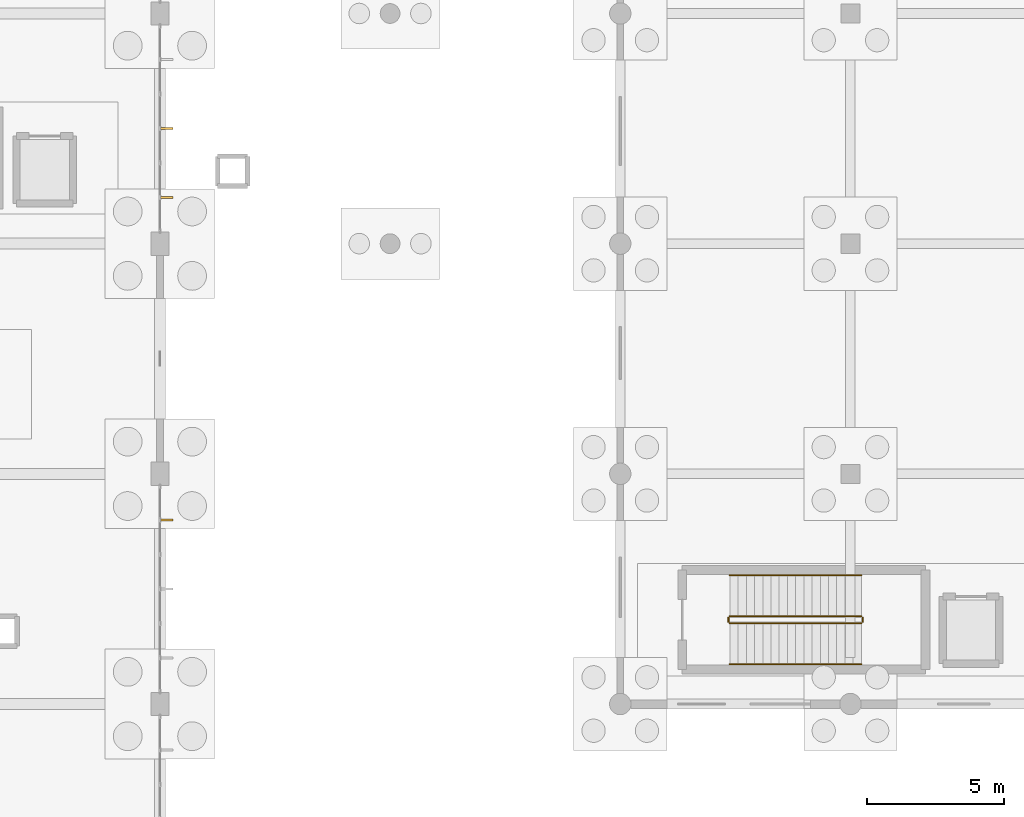
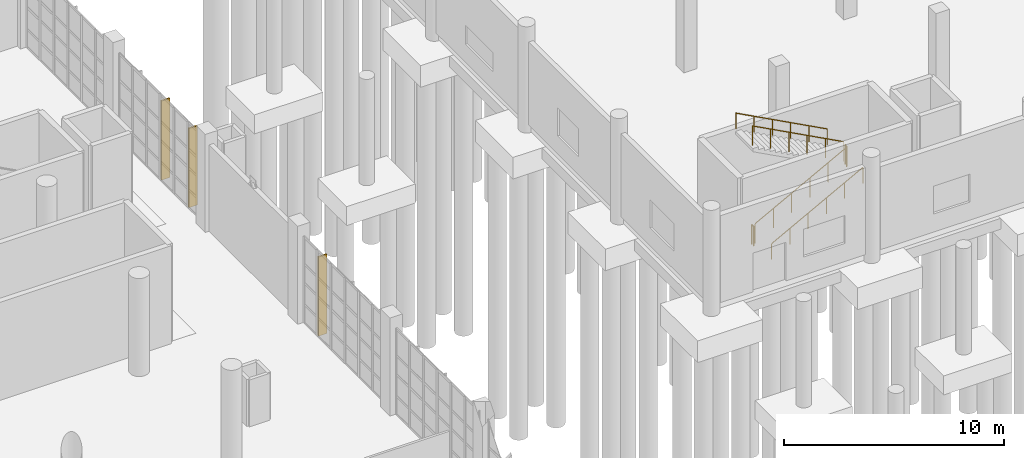
# One storey, part 74 of 83: 6 railings, 3 shading devices.
"""IFC4 building model written with IfcOpenShell, lengths in metres."""

from ifc_helpers import new_model, si_unit, direction, frame, origin, origin_2d, place, context, subcontext, project, spatial, rectangle, circle, extrude, material, type_object, element, save


model = new_model("IFC4")

# Units and contexts
model_context = context("Model", 3, precision=1e-05, world=origin(), true_north=direction((0.0, 1.0)))
body_context = subcontext(model_context, "Body", "Model", "MODEL_VIEW")
ifc_project = project(units=[si_unit("LENGTHUNIT", "METRE"), si_unit("AREAUNIT", "SQUARE_METRE"), si_unit("VOLUMEUNIT", "CUBIC_METRE"), si_unit("PLANEANGLEUNIT", "RADIAN"), si_unit("MASSUNIT", "GRAM", prefix="KILO"), si_unit("THERMODYNAMICTEMPERATUREUNIT", "KELVIN"), si_unit("POWERUNIT", "WATT")], contexts=[model_context])

# Site, building, storey
site_placement = place(None, origin())
site = spatial("IfcSite", under=ifc_project, at=site_placement, CompositionType="ELEMENT")
building_placement = place(site_placement, origin())
building = spatial("IfcBuilding", under=site, at=building_placement, Name="Mavoryth Pier Ferry Terminal", CompositionType="ELEMENT")
storey_placement = place(building_placement, origin())
storey = spatial("IfcBuildingStorey", under=building, at=storey_placement, Name="L00", CompositionType="ELEMENT", Elevation=0.0)

# Shading devices
ifc_material_1 = material(Name="Anodised Aluminium Solar-Shading Fin", Category="aluminium")
shading_device_type = type_object("IfcShadingDeviceType", Name="Fin-BriseSoleil-450x80x4400", PredefinedType="SHUTTER", material=ifc_material_1)
for number, where, z_axis, x_axis, name in (
    (1, (33.84912109375, 79.11669921875, 0.0), (0.0, 0.0, 1.0), (0.0, 1.0, 0.0), "Solar Shading Fin 54"),
    (2, (33.84912109375, 90.88330078125, 0.0), (0.0, 0.0, 1.0), (0.0, 1.0, 0.0), "Solar Shading Fin 64"),
    (3, (33.84912109375, 93.39990234375, 0.0), (0.0, 0.0, 1.0), (0.0, 1.0, 0.0), "Solar Shading Fin 65"),
):
    element("IfcShadingDevice", number, at=place(storey_placement, frame(where, z_axis=z_axis, x_axis=x_axis)), inside=storey, type_object=shading_device_type, Name=name, PredefinedType="SHUTTER", context=body_context, shape_type="SweptSolid", body=[
        extrude(rectangle(XDim=0.080078125, YDim=0.449951171875, at=origin_2d()), origin(), (0.0, 0.0, 1.0), 4.39990234375),
    ])

# Railings
ifc_material_2 = material(Name="Painted Galvanised Steel Balustrade", Category="steel")
railing_type_1 = type_object("IfcRailingType", Name="Guard-Stair-Steel1100", PredefinedType="GUARDRAIL", material=ifc_material_2)
railing_1_placement = place(storey_placement, frame((54.39990234375, 75.35009765625, 0.159912109375)))
element("IfcRailing", 4, at=railing_1_placement, inside=storey, type_object=railing_type_1, Name="L00 ST04 stair guard 1", PredefinedType="GUARDRAIL", context=body_context, shape_type="SweptSolid", body=[
    extrude(circle(Radius=0.02392578125, at=origin_2d()), frame((0.0, 0.0, 1.076171875), z_axis=(0.882350456557, 0.0, 0.470592893925), x_axis=(0.0, 1.0, 0.0)), (0.0, 0.0, 1.0), 5.440185546875),
    extrude(circle(Radius=0.02099609375, at=origin_2d()), origin(), (0.0, 0.0, 1.0), 1.052001953125),
    extrude(circle(Radius=0.02099609375, at=origin_2d()), frame((0.9599609375, 0.0, 0.511962890625)), (0.0, 0.0, 1.0), 1.052001953125),
    extrude(circle(Radius=0.02099609375, at=origin_2d()), frame((1.919921875, 0.0, 1.02392578125)), (0.0, 0.0, 1.0), 1.052001953125),
    extrude(circle(Radius=0.02099609375, at=origin_2d()), frame((2.880126953125, 0.0, 1.5361328125)), (0.0, 0.0, 1.0), 1.052001953125),
    extrude(circle(Radius=0.02099609375, at=origin_2d()), frame((3.840087890625, 0.0, 2.048095703125)), (0.0, 0.0, 1.0), 1.052001953125),
    extrude(circle(Radius=0.02099609375, at=origin_2d()), frame((4.800048828125, 0.0, 2.56005859375)), (0.0, 0.0, 1.0), 1.052001953125),
])
railing_2_placement = place(storey_placement, frame((59.25, 75.39990234375, 2.719970703125)))
element("IfcRailing", 5, at=railing_2_placement, inside=storey, type_object=railing_type_1, Name="L00 ST04 stair guard 2", PredefinedType="GUARDRAIL", context=body_context, shape_type="SweptSolid", body=[
    extrude(circle(Radius=0.02392578125, at=origin_2d()), frame((0.0, 0.0, 1.076171875), z_axis=(0.0, 1.0, 0.0), x_axis=(-1.0, 0.0, 0.0)), (0.0, 0.0, 1.0), 0.150146484375),
    extrude(circle(Radius=0.02099609375, at=origin_2d()), origin(), (0.0, 0.0, 1.0), 1.052001953125),
    extrude(circle(Radius=0.02099609375, at=origin_2d()), frame((0.0, 0.150146484375, 0.0)), (0.0, 0.0, 1.0), 1.052001953125),
])
railing_3_placement = place(storey_placement, frame((59.199951171875, 75.60009765625, 2.8798828125)))
element("IfcRailing", 6, at=railing_3_placement, inside=storey, type_object=railing_type_1, Name="L00 ST04 stair guard 3", PredefinedType="GUARDRAIL", context=body_context, shape_type="SweptSolid", body=[
    extrude(circle(Radius=0.02392578125, at=origin_2d()), frame((0.0, 0.0, 1.076171875), z_axis=(-0.882350456557, 0.0, 0.470592893925), x_axis=(0.0, -1.0, 0.0)), (0.0, 0.0, 1.0), 5.440185546875),
    extrude(circle(Radius=0.02099609375, at=origin_2d()), origin(), (0.0, 0.0, 1.0), 1.052001953125),
    extrude(circle(Radius=0.02099609375, at=origin_2d()), frame((-0.9599609375, 0.0, 0.511962890625)), (0.0, 0.0, 1.0), 1.052001953125),
    extrude(circle(Radius=0.02099609375, at=origin_2d()), frame((-1.919921875, 0.0, 1.02392578125)), (0.0, 0.0, 1.0), 1.052001953125),
    extrude(circle(Radius=0.02099609375, at=origin_2d()), frame((-2.880126953125, 0.0, 1.5361328125)), (0.0, 0.0, 1.0), 1.052001953125),
    extrude(circle(Radius=0.02099609375, at=origin_2d()), frame((-3.840087890625, 0.0, 2.048095703125)), (0.0, 0.0, 1.0), 1.052001953125),
    extrude(circle(Radius=0.02099609375, at=origin_2d()), frame((-4.800048828125, 0.0, 2.56005859375)), (0.0, 0.0, 1.0), 1.052001953125),
])
railing_4_placement = place(storey_placement, frame((54.35009765625, 75.39990234375, 0.0)))
element("IfcRailing", 7, at=railing_4_placement, inside=storey, type_object=railing_type_1, Name="L00 ST04 stair guard 4", PredefinedType="GUARDRAIL", context=body_context, shape_type="SweptSolid", body=[
    extrude(circle(Radius=0.02392578125, at=origin_2d()), frame((0.0, 0.0, 1.076171875), z_axis=(0.0, 1.0, 0.0), x_axis=(-1.0, 0.0, 0.0)), (0.0, 0.0, 1.0), 0.150146484375),
    extrude(circle(Radius=0.02099609375, at=origin_2d()), origin(), (0.0, 0.0, 1.0), 1.052001953125),
    extrude(circle(Radius=0.02099609375, at=origin_2d()), frame((0.0, 0.150146484375, 0.0)), (0.0, 0.0, 1.0), 1.052001953125),
])
ifc_material_3 = material(Name="Brushed Stainless Steel Tubular Handrail", Category="steel")
railing_type_2 = type_object("IfcRailingType", Name="Handrail-Stair-SS900", PredefinedType="HANDRAIL", material=ifc_material_3)
railing_5_placement = place(storey_placement, frame((54.39990234375, 73.85009765625, 0.159912109375)))
element("IfcRailing", 8, at=railing_5_placement, inside=storey, type_object=railing_type_2, Name="L00 ST04 stair handrail 1", PredefinedType="HANDRAIL", context=body_context, shape_type="SweptSolid", body=[
    extrude(circle(Radius=0.02392578125, at=origin_2d()), frame((0.0, 0.0, 0.8759765625), z_axis=(0.882350456557, 0.0, 0.470592893925), x_axis=(0.0, 1.0, 0.0)), (0.0, 0.0, 1.0), 5.440185546875),
    extrude(circle(Radius=0.02099609375, at=origin_2d()), origin(), (0.0, 0.0, 1.0), 0.851806640625),
    extrude(circle(Radius=0.02099609375, at=origin_2d()), frame((0.9599609375, 0.0, 0.511962890625)), (0.0, 0.0, 1.0), 0.851806640625),
    extrude(circle(Radius=0.02099609375, at=origin_2d()), frame((1.919921875, 0.0, 1.02392578125)), (0.0, 0.0, 1.0), 0.851806640625),
    extrude(circle(Radius=0.02099609375, at=origin_2d()), frame((2.880126953125, 0.0, 1.5361328125)), (0.0, 0.0, 1.0), 0.851806640625),
    extrude(circle(Radius=0.02099609375, at=origin_2d()), frame((3.840087890625, 0.0, 2.048095703125)), (0.0, 0.0, 1.0), 0.851806640625),
    extrude(circle(Radius=0.02099609375, at=origin_2d()), frame((4.800048828125, 0.0, 2.56005859375)), (0.0, 0.0, 1.0), 0.851806640625),
])
railing_6_placement = place(storey_placement, frame((59.199951171875, 77.10009765625, 2.8798828125)))
element("IfcRailing", 9, at=railing_6_placement, inside=storey, type_object=railing_type_2, Name="L00 ST04 stair handrail 2", PredefinedType="HANDRAIL", context=body_context, shape_type="SweptSolid", body=[
    extrude(circle(Radius=0.02392578125, at=origin_2d()), frame((0.0, 0.0, 0.8759765625), z_axis=(-0.882350456557, 0.0, 0.470592893925), x_axis=(0.0, -1.0, 0.0)), (0.0, 0.0, 1.0), 5.440185546875),
    extrude(circle(Radius=0.02099609375, at=origin_2d()), origin(), (0.0, 0.0, 1.0), 0.851806640625),
    extrude(circle(Radius=0.02099609375, at=origin_2d()), frame((-0.9599609375, 0.0, 0.511962890625)), (0.0, 0.0, 1.0), 0.851806640625),
    extrude(circle(Radius=0.02099609375, at=origin_2d()), frame((-1.919921875, 0.0, 1.02392578125)), (0.0, 0.0, 1.0), 0.851806640625),
    extrude(circle(Radius=0.02099609375, at=origin_2d()), frame((-2.880126953125, 0.0, 1.5361328125)), (0.0, 0.0, 1.0), 0.851806640625),
    extrude(circle(Radius=0.02099609375, at=origin_2d()), frame((-3.840087890625, 0.0, 2.048095703125)), (0.0, 0.0, 1.0), 0.851806640625),
    extrude(circle(Radius=0.02099609375, at=origin_2d()), frame((-4.800048828125, 0.0, 2.56005859375)), (0.0, 0.0, 1.0), 0.851806640625),
])

save(model, "model.ifc")
